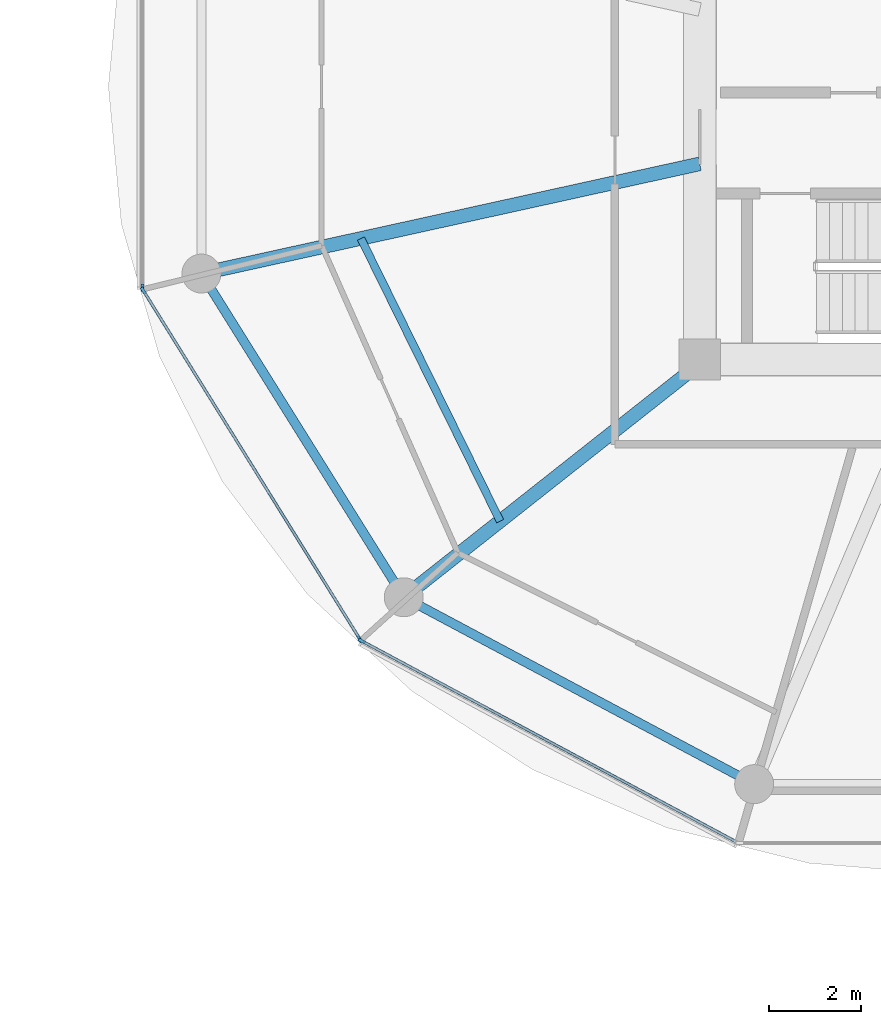
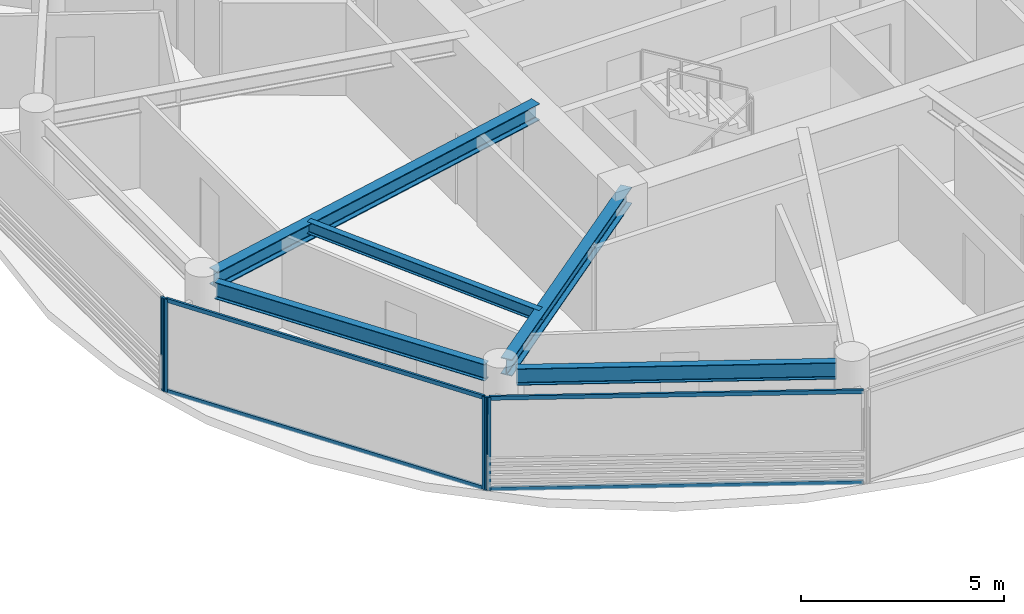
# One storey, part 6 of 22: 8 members, 5 beams, 3 elements without a shape of their own.
"""IFC4 building model written with IfcOpenShell, lengths in metres."""

from ifc_helpers import new_model, si_unit, direction, frame, origin, origin_2d, place, context, subcontext, project, spatial, rectangle, i_section, extrude, source, transform, mapped, material, layer, layer_set, material_profile, profile_set, type_object, type_shapes, element, aggregate, save


model = new_model("IFC4")

# Units and contexts
model_context = context("Model", 3, precision=1e-05, world=origin(), true_north=direction((0.0, 1.0)))
body_context = subcontext(model_context, "Body", "Model", "MODEL_VIEW")
ifc_project = project(units=[si_unit("LENGTHUNIT", "METRE"), si_unit("AREAUNIT", "SQUARE_METRE"), si_unit("VOLUMEUNIT", "CUBIC_METRE"), si_unit("PLANEANGLEUNIT", "RADIAN"), si_unit("MASSUNIT", "GRAM", prefix="KILO")], contexts=[model_context])

# Site, building, storey
site_placement = place(None, origin())
site = spatial("IfcSite", under=ifc_project, at=site_placement, CompositionType="ELEMENT")
building_placement = place(site_placement, origin())
building = spatial("IfcBuilding", under=site, at=building_placement, Name="Norrkilde Senior Care Towers", CompositionType="ELEMENT")
storey_placement = place(building_placement, frame((0.0, 0.0, 96.25)))
storey = spatial("IfcBuildingStorey", under=building, at=storey_placement, Name="L29", CompositionType="ELEMENT", Elevation=96.25)

# Beams
ifc_material_1 = material(Name="Steel S355", Category="steel")
ifc_material_profile_1 = material_profile(ifc_material_1, i_section(OverallWidth=0.199951171875, OverallDepth=0.5, WebThickness=0.01025390625, FlangeThickness=0.01611328125, FilletRadius=0.02099609375, at=origin_2d()), Name="IPE 500")
ifc_profile_set_1 = profile_set([ifc_material_profile_1], Name="Steel S355")
beam_type_1 = type_object("IfcBeamType", Name="Perimeter Ring Spandrel Z2 IPE500", PredefinedType="SPANDREL", material=ifc_profile_set_1)
shared_shape_1 = source(origin(), body_context, "Body", "SweptSolid", [
    extrude(i_section(OverallWidth=0.199951171875, OverallDepth=0.5, WebThickness=0.01025390625, FlangeThickness=0.01611328125, FilletRadius=0.02099609375, at=origin_2d()), origin(), (0.0, 0.0, 1.0), 7.55615234375),
])
beam_1_placement = place(storey_placement, frame((9.68505859375, -4.40283203125, 2.5400390625), z_axis=(0.529981514254, -0.848009194849, 0.0), x_axis=(0.848009194849, 0.529981514254, 0.0)))
element("IfcBeam", 1, at=beam_1_placement, inside=storey, type_object=beam_type_1, Name="L29 Drum E Perimeter Spandrel 07", PredefinedType="SPANDREL", context=body_context, shape_type="MappedRepresentation", body=[
    mapped(shared_shape_1, transform((0.0, 0.0, 0.0), x_axis=(1.0, 0.0, 0.0), y_axis=(0.0, 1.0, 0.0), z_axis=(0.0, 0.0, 1.0), scale=1.0)),
])
ifc_material_profile_2 = material_profile(ifc_material_1, i_section(OverallWidth=0.300048828125, OverallDepth=0.5, WebThickness=0.014404296875, FlangeThickness=0.028076171875, FilletRadius=0.027099609375, at=origin_2d()), Name="HEB 500")
ifc_profile_set_2 = profile_set([ifc_material_profile_2], Name="Steel S355")
beam_type_2 = type_object("IfcBeamType", Name="Radial Floor Beam Z2 HEB500", PredefinedType="BEAM", material=ifc_profile_set_2)
shared_shape_2 = source(origin(), body_context, "Body", "SweptSolid", [
    extrude(i_section(OverallWidth=0.300048828125, OverallDepth=0.5, WebThickness=0.014404296875, FlangeThickness=0.028076171875, FilletRadius=0.027099609375, at=origin_2d()), origin(), (0.0, 0.0, 1.0), 10.744384765625),
])
beam_2_placement = place(storey_placement, frame((20.35009765625, -1.683837890625, 2.5400390625), z_axis=(-0.976618711422, -0.214978818724, 0.0), x_axis=(0.214978818724, -0.976618711422, 0.0)))
element("IfcBeam", 2, at=beam_2_placement, inside=storey, type_object=beam_type_2, Name="L29 Drum E Radial Floor Beam 07", PredefinedType="BEAM", context=body_context, shape_type="MappedRepresentation", body=[
    mapped(shared_shape_2, transform((0.0, 0.0, 0.0), x_axis=(1.0, 0.0, 0.0), y_axis=(0.0, 1.0, 0.0), z_axis=(0.0, 0.0, 1.0), scale=1.0)),
])
shared_shape_3 = source(origin(), body_context, "Body", "SweptSolid", [
    extrude(i_section(OverallWidth=0.199951171875, OverallDepth=0.5, WebThickness=0.01025390625, FlangeThickness=0.01611328125, FilletRadius=0.02099609375, at=origin_2d()), origin(), (0.0, 0.0, 1.0), 7.892333984375),
])
type_shapes(beam_type_1, [shared_shape_1, shared_shape_3])
beam_3_placement = place(storey_placement, frame((14.233642578125, -11.318115234375, 2.5400390625), z_axis=(0.882350372282, -0.47059305194, 0.0), x_axis=(0.47059305194, 0.882350372282, 0.0)))
element("IfcBeam", 3, at=beam_3_placement, inside=storey, type_object=beam_type_1, Name="L29 Drum E Perimeter Spandrel 08", PredefinedType="SPANDREL", context=body_context, shape_type="MappedRepresentation", body=[
    mapped(shared_shape_3, transform((0.0, 0.0, 0.0), x_axis=(1.0, 0.0, 0.0), y_axis=(0.0, 1.0, 0.0), z_axis=(0.0, 0.0, 1.0), scale=1.0)),
])
shared_shape_4 = source(origin(), body_context, "Body", "SweptSolid", [
    extrude(i_section(OverallWidth=0.300048828125, OverallDepth=0.5, WebThickness=0.014404296875, FlangeThickness=0.028076171875, FilletRadius=0.027099609375, at=origin_2d()), origin(), (0.0, 0.0, 1.0), 7.985595703125),
])
type_shapes(beam_type_2, [shared_shape_2, shared_shape_4])
beam_4_placement = place(storey_placement, frame((20.463623046875, -5.949951171875, 2.5400390625), z_axis=(-0.784858505144, -0.619675017169, 0.0), x_axis=(0.619675017169, -0.784858505144, 0.0)))
element("IfcBeam", 4, at=beam_4_placement, inside=storey, type_object=beam_type_2, Name="L29 Drum E Radial Floor Beam 08", PredefinedType="BEAM", context=body_context, shape_type="MappedRepresentation", body=[
    mapped(shared_shape_4, transform((0.0, 0.0, 0.0), x_axis=(1.0, 0.0, 0.0), y_axis=(0.0, 1.0, 0.0), z_axis=(0.0, 0.0, 1.0), scale=1.0)),
])
ifc_material_profile_3 = material_profile(ifc_material_1, i_section(OverallWidth=0.169921875, OverallDepth=0.360107421875, WebThickness=0.008056640625, FlangeThickness=0.0126953125, FilletRadius=0.01806640625, at=origin_2d()), Name="IPE 360")
ifc_profile_set_3 = profile_set([ifc_material_profile_3], Name="Steel S355")
beam_type_3 = type_object("IfcBeamType", Name="Secondary Floor Joist IPE360", PredefinedType="JOIST", material=ifc_profile_set_3)
shared_shape_5 = source(origin(), body_context, "Body", "SweptSolid", [
    extrude(i_section(OverallWidth=0.169921875, OverallDepth=0.360107421875, WebThickness=0.008056640625, FlangeThickness=0.0126953125, FilletRadius=0.01806640625, at=origin_2d()), origin(), (0.0, 0.0, 1.0), 6.87353515625),
])
type_shapes(beam_type_3, [shared_shape_5])
beam_5_placement = place(storey_placement, frame((12.958984375, -3.310791015625, 2.610107421875), z_axis=(0.44184939592, -0.897089243791, 0.0), x_axis=(0.897089243791, 0.44184939592, 0.0)))
element("IfcBeam", 5, at=beam_5_placement, inside=storey, type_object=beam_type_3, Name="L29 Drum E Secondary Floor Joist 3", PredefinedType="JOIST", context=body_context, shape_type="MappedRepresentation", body=[
    mapped(shared_shape_5, transform((0.0, 0.0, 0.0), x_axis=(1.0, 0.0, 0.0), y_axis=(0.0, 1.0, 0.0), z_axis=(0.0, 0.0, 1.0), scale=1.0)),
])

# Curtain wall, member
ifc_material_2 = material(Name="Triple Low-E Insulated Glazing", Category="glass")
ifc_layer = layer(ifc_material_2, 0.195068359375)
ifc_layer_set = layer_set([ifc_layer], Name="Triple Low-E Insulated Glazing")
curtain_wall_type = type_object("IfcCurtainWallType", Name="CW3 Zone 2 Assisted Living Curtain Wall", PredefinedType="NOTDEFINED", material=ifc_layer_set)
curtain_wall_1_placement = place(storey_placement, origin())
curtain_wall_1 = element("IfcCurtainWall", 6, at=curtain_wall_1_placement, inside=storey, type_object=curtain_wall_type, Name="L29 Drum E Curtain Wall 05", PredefinedType="NOTDEFINED")
ifc_material_3 = material(Name="Anodised Aluminium", Category="aluminium")
ifc_material_profile_4 = material_profile(ifc_material_3, rectangle(XDim=0.06494140625, YDim=0.159912109375, at=origin_2d()), Name="ALU MULL 65x160")
ifc_profile_set_4 = profile_set([ifc_material_profile_4], Name="Anodised Aluminium")
member_type_1 = type_object("IfcMemberType", Name="Curtain Wall Mullion Z1-Z2 65x160", PredefinedType="MULLION", material=ifc_profile_set_4)
shared_shape_6 = source(origin(), body_context, "Body", "SweptSolid", [
    extrude(rectangle(XDim=0.06494140625, YDim=0.159912109375, at=origin_2d()), origin(), (0.0, 0.0, 1.0), 2.7900390625),
])
type_shapes(member_type_1, [shared_shape_6])
member_1_placement = place(storey_placement, frame((8.1962890625, -4.38818359375, 0.0), z_axis=(0.0, 0.0, 1.0), x_axis=(-1.0, 0.0, 0.0)))
member_1 = element("IfcMember", 7, at=member_1_placement, type_object=member_type_1, Name="CW-3 mullion 1", PredefinedType="MULLION", context=body_context, shape_type="MappedRepresentation", body=[
    mapped(shared_shape_6, transform((0.0, 0.0, 0.0), x_axis=(1.0, 0.0, 0.0), y_axis=(0.0, 1.0, 0.0), z_axis=(0.0, 0.0, 1.0), scale=1.0)),
])
aggregate(curtain_wall_1, [member_1])

# Curtain wall, members
curtain_wall_2_placement = place(storey_placement, origin())
curtain_wall_2 = element("IfcCurtainWall", 8, at=curtain_wall_2_placement, inside=storey, type_object=curtain_wall_type, Name="L29 Drum E Curtain Wall 06", PredefinedType="NOTDEFINED")
member_2_placement = place(storey_placement, frame((12.936279296875, -12.0498046875, 0.0), z_axis=(0.0, 0.0, 1.0), x_axis=(-0.849410171862, -0.527733228002, 0.0)))
member_2 = element("IfcMember", 9, at=member_2_placement, type_object=member_type_1, Name="CW-3 mullion 1", PredefinedType="MULLION", context=body_context, shape_type="MappedRepresentation", body=[
    mapped(shared_shape_6, transform((0.0, 0.0, 0.0), x_axis=(1.0, 0.0, 0.0), y_axis=(0.0, 1.0, 0.0), z_axis=(0.0, 0.0, 1.0), scale=1.0)),
])
member_3_placement = place(storey_placement, frame((8.21337890625, -4.4482421875, 0.0), z_axis=(0.0, 0.0, 1.0), x_axis=(-0.849410171862, -0.527733228002, 0.0)))
member_3 = element("IfcMember", 10, at=member_3_placement, type_object=member_type_1, Name="CW-3 mullion 2", PredefinedType="MULLION", context=body_context, shape_type="MappedRepresentation", body=[
    mapped(shared_shape_6, transform((0.0, 0.0, 0.0), x_axis=(1.0, 0.0, 0.0), y_axis=(0.0, 1.0, 0.0), z_axis=(0.0, 0.0, 1.0), scale=1.0)),
])

# Curtain wall, member
curtain_wall_3_placement = place(storey_placement, origin())
curtain_wall_3 = element("IfcCurtainWall", 11, at=curtain_wall_3_placement, inside=storey, type_object=curtain_wall_type, Name="L29 Drum E Curtain Wall 07", PredefinedType="NOTDEFINED")
member_4_placement = place(storey_placement, frame((12.98193359375, -12.0927734375, 0.0), z_axis=(0.0, 0.0, 1.0), x_axis=(-0.472769402511, -0.881186184668, 0.0)))
member_4 = element("IfcMember", 12, at=member_4_placement, type_object=member_type_1, Name="CW-3 mullion 2", PredefinedType="MULLION", context=body_context, shape_type="MappedRepresentation", body=[
    mapped(shared_shape_6, transform((0.0, 0.0, 0.0), x_axis=(1.0, 0.0, 0.0), y_axis=(0.0, 1.0, 0.0), z_axis=(0.0, 0.0, 1.0), scale=1.0)),
])

# Member
ifc_material_profile_5 = material_profile(ifc_material_3, rectangle(XDim=0.06005859375, YDim=0.1201171875, at=origin_2d()), Name="ALU TRAN 60x120")
ifc_profile_set_5 = profile_set([ifc_material_profile_5], Name="Anodised Aluminium")
member_type_2 = type_object("IfcMemberType", Name="Curtain Wall Transom Typical 60x120", PredefinedType="USERDEFINED", material=ifc_profile_set_5)
shared_shape_7 = source(origin(), body_context, "Body", "SweptSolid", [
    extrude(rectangle(XDim=0.06005859375, YDim=0.1201171875, at=origin_2d()), origin(), (0.0, 0.0, 1.0), 8.88427734375),
])
member_5_placement = place(storey_placement, frame((12.919189453125, -12.022216796875, 0.030029296875), z_axis=(-0.527749293309, 0.849400190377, 0.0), x_axis=(-0.849400190377, -0.527749293309, 0.0)))
member_5 = element("IfcMember", 13, at=member_5_placement, type_object=member_type_2, Name="CW-3 transom 1.1", ObjectType="TRANSOM", PredefinedType="USERDEFINED", context=body_context, shape_type="MappedRepresentation", body=[
    mapped(shared_shape_7, transform((0.0, 0.0, 0.0), x_axis=(1.0, 0.0, 0.0), y_axis=(0.0, 1.0, 0.0), z_axis=(0.0, 0.0, 1.0), scale=1.0)),
])

member_6_placement = place(storey_placement, frame((12.919189453125, -12.022216796875, 2.760009765625), z_axis=(-0.527749293309, 0.849400190377, 0.0), x_axis=(-0.849400190377, -0.527749293309, 0.0)))
member_6 = element("IfcMember", 14, at=member_6_placement, type_object=member_type_2, Name="CW-3 transom 1.2", ObjectType="TRANSOM", PredefinedType="USERDEFINED", context=body_context, shape_type="MappedRepresentation", body=[
    mapped(shared_shape_7, transform((0.0, 0.0, 0.0), x_axis=(1.0, 0.0, 0.0), y_axis=(0.0, 1.0, 0.0), z_axis=(0.0, 0.0, 1.0), scale=1.0)),
])

aggregate(curtain_wall_2, [member_2, member_3, member_5, member_6])

shared_shape_8 = source(origin(), body_context, "Body", "SweptSolid", [
    extrude(rectangle(XDim=0.06005859375, YDim=0.1201171875, at=origin_2d()), origin(), (0.0, 0.0, 1.0), 9.220458984375),
])
type_shapes(member_type_2, [shared_shape_7, shared_shape_8])
member_7_placement = place(storey_placement, frame((21.1357421875, -16.46728515625, 0.030029296875), z_axis=(-0.881188517866, 0.472765053681, 0.0), x_axis=(-0.472765053681, -0.881188517866, 0.0)))
member_7 = element("IfcMember", 15, at=member_7_placement, type_object=member_type_2, Name="CW-3 transom 1.1", ObjectType="TRANSOM", PredefinedType="USERDEFINED", context=body_context, shape_type="MappedRepresentation", body=[
    mapped(shared_shape_8, transform((0.0, 0.0, 0.0), x_axis=(1.0, 0.0, 0.0), y_axis=(0.0, 1.0, 0.0), z_axis=(0.0, 0.0, 1.0), scale=1.0)),
])

member_8_placement = place(storey_placement, frame((21.1357421875, -16.46728515625, 2.760009765625), z_axis=(-0.881188517866, 0.472765053681, 0.0), x_axis=(-0.472765053681, -0.881188517866, 0.0)))
member_8 = element("IfcMember", 16, at=member_8_placement, type_object=member_type_2, Name="CW-3 transom 1.2", ObjectType="TRANSOM", PredefinedType="USERDEFINED", context=body_context, shape_type="MappedRepresentation", body=[
    mapped(shared_shape_8, transform((0.0, 0.0, 0.0), x_axis=(1.0, 0.0, 0.0), y_axis=(0.0, 1.0, 0.0), z_axis=(0.0, 0.0, 1.0), scale=1.0)),
])

aggregate(curtain_wall_3, [member_4, member_7, member_8])

save(model, "model.ifc")
